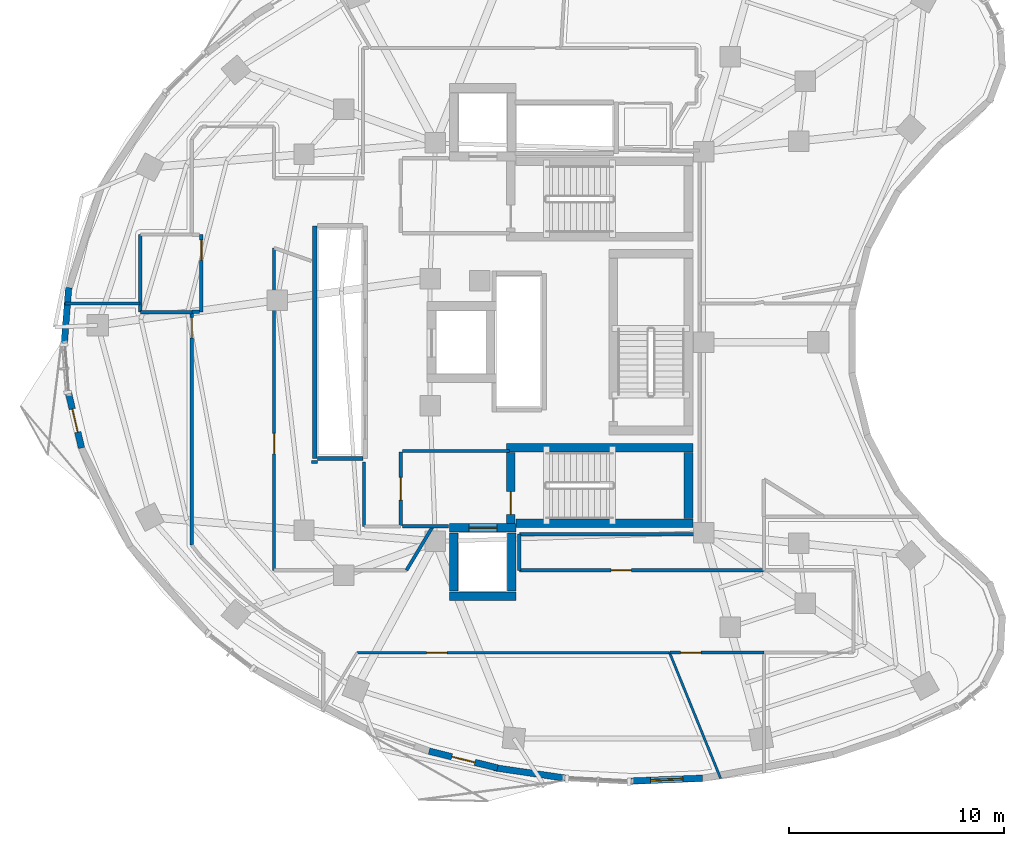
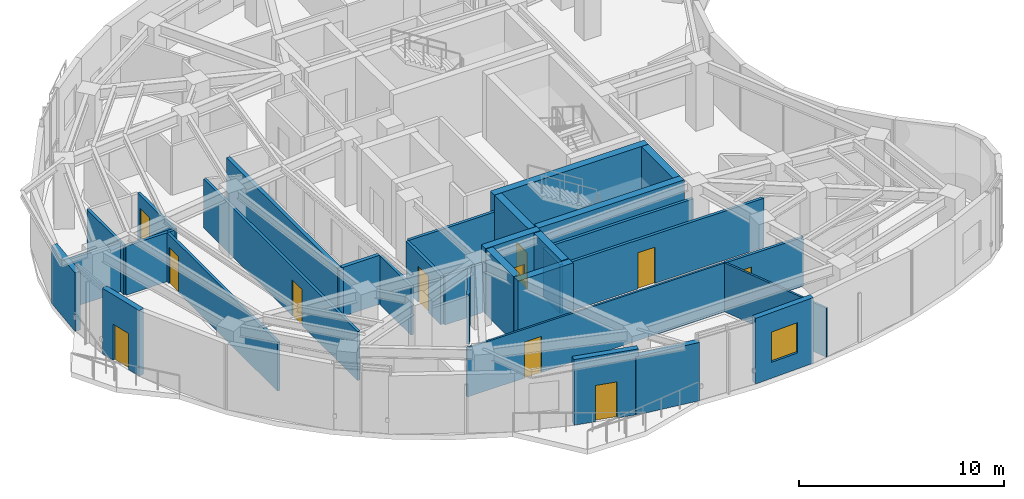
# One storey, part 7 of 13: 34 walls, 11 doors, 1 window, 12 openings.
"""IFC4 building model written with IfcOpenShell, lengths in metres."""

from ifc_helpers import new_model, si_unit, direction, frame, frame_2d, origin, place, context, subcontext, project, spatial, rectangle, extrude, material, layer, layer_set, type_object, element, fill, save


model = new_model("IFC4")

# Units and contexts
model_context = context("Model", 3, precision=1e-05, world=origin(), true_north=direction((0.0, 1.0)))
body_context = subcontext(model_context, "Body", "Model", "MODEL_VIEW")
ifc_project = project(units=[si_unit("LENGTHUNIT", "METRE"), si_unit("AREAUNIT", "SQUARE_METRE"), si_unit("VOLUMEUNIT", "CUBIC_METRE"), si_unit("PLANEANGLEUNIT", "RADIAN"), si_unit("MASSUNIT", "GRAM", prefix="KILO")], contexts=[model_context])

# Site, building, storey
site_placement = place(None, origin())
site = spatial("IfcSite", under=ifc_project, at=site_placement, CompositionType="ELEMENT")
building_placement = place(site_placement, origin())
building = spatial("IfcBuilding", under=site, at=building_placement, Name="Korentha Bioscience Tower", CompositionType="ELEMENT")
storey_placement = place(building_placement, frame((0.0, 0.0, 192.0)))
storey = spatial("IfcBuildingStorey", under=building, at=storey_placement, Name="L44", CompositionType="ELEMENT", Elevation=192.0)

# Wall, opening, door
ifc_material_1 = material(Name="Double-Stud Acoustic Gypsum", Category="gypsum")
ifc_layer_1 = layer(ifc_material_1, 0.14990234375, Name="Double-Stud Acoustic Gypsum")
ifc_layer_set_1 = layer_set([ifc_layer_1], Name="Double-Stud Acoustic Gypsum (IW-L150)")
wall_type_1 = type_object("IfcWallType", Name="Acoustic Laboratory Partition Wall 150", PredefinedType="PARTITIONING", material=ifc_layer_set_1)
wall_1_placement = place(storey_placement, frame((13.7900390625, 28.389892578125, 0.0), z_axis=(0.0, 0.0, 1.0), x_axis=(0.0, -1.0, 0.0)))
wall_1 = element("IfcWall", 1, at=wall_1_placement, inside=storey, type_object=wall_type_1, Name="L44 Biomechanical Motion Analysis Lab 01 Entrance Wall", PredefinedType="PARTITIONING", context=body_context, shape_type="SweptSolid", body=[
    extrude(rectangle(XDim=10.807373046875, YDim=0.14990234375, at=frame_2d((5.40380859375, 0.0))), origin(), (0.0, 0.0, 1.0), 2.909912109375),
])
opening_1_placement = place(wall_1_placement, frame((0.239990234375, 0.0, 0.0)))
opening_1 = element("IfcOpeningElement", 2, at=opening_1_placement, cuts=wall_1, Name="Opening ID-10L", PredefinedType="OPENING", context=body_context, shape_type="SweptSolid", body=[
    extrude(rectangle(XDim=0.949951171875, YDim=2.14990234375, at=frame_2d((0.47509765625, 1.074951171875))), frame((0.0, 0.08984375, 0.0), z_axis=(0.0, -1.0, 0.0), x_axis=(1.0, 0.0, 0.0)), (0.0, 0.0, 1.0), 0.1796875),
])
ifc_material_2 = material(Name="Phenolic Laminate Timber Core", Category="wood")
door_type_1 = type_object("IfcDoorType", Name="Laboratory Single Leaf Door 950x2150 Left", OperationType="SINGLE_SWING_LEFT", PredefinedType="DOOR", material=ifc_material_2)
door_1_placement = place(opening_1_placement, origin())
door_1 = element("IfcDoor", 3, at=door_1_placement, inside=storey, type_object=door_type_1, Name="L44 Biomechanical Motion Analysis Lab 01 Door", OperationType="SINGLE_SWING_LEFT", OverallHeight=2.14990234375, OverallWidth=0.949951171875, PredefinedType="DOOR", context=body_context, shape_type="SweptSolid", body=[
    extrude(rectangle(XDim=0.949951171875, YDim=2.14990234375, at=frame_2d((0.47509765625, 1.074951171875))), frame((0.0, 0.02490234375, 0.0), z_axis=(0.0, -1.0, 0.0), x_axis=(1.0, 0.0, 0.0)), (0.0, 0.0, 1.0), 0.050048828125),
])
fill(opening_1, door_1)

wall_2_placement = place(storey_placement, frame((17.610107421875, 16.409912109375, 0.0), z_axis=(0.0, 0.0, 1.0), x_axis=(0.0, 1.0, 0.0)))
wall_2 = element("IfcWall", 4, at=wall_2_placement, inside=storey, type_object=wall_type_1, Name="L44 Principal Investigator Office 02 Entrance Wall", PredefinedType="PARTITIONING", context=body_context, shape_type="SweptSolid", body=[
    extrude(rectangle(XDim=14.968994140625, YDim=0.14990234375, at=frame_2d((7.484375, 0.0))), origin(), (0.0, 0.0, 1.0), 2.909912109375),
])
opening_2_placement = place(wall_2_placement, frame((5.40380859375, 0.0, 0.0)))
opening_2 = element("IfcOpeningElement", 5, at=opening_2_placement, cuts=wall_2, Name="Opening ID-10R", PredefinedType="OPENING", context=body_context, shape_type="SweptSolid", body=[
    extrude(rectangle(XDim=0.949951171875, YDim=2.14990234375, at=frame_2d((0.47509765625, 1.074951171875))), frame((0.0, 0.08984375, 0.0), z_axis=(0.0, -1.0, 0.0), x_axis=(1.0, 0.0, 0.0)), (0.0, 0.0, 1.0), 0.1796875),
])
door_type_2 = type_object("IfcDoorType", Name="Laboratory Single Leaf Door 950x2150 Right", OperationType="SINGLE_SWING_RIGHT", PredefinedType="DOOR", material=ifc_material_2)
door_2_placement = place(opening_2_placement, origin())
door_2 = element("IfcDoor", 6, at=door_2_placement, inside=storey, type_object=door_type_2, Name="L44 Principal Investigator Office 02 Door", OperationType="SINGLE_SWING_RIGHT", OverallHeight=2.14990234375, OverallWidth=0.949951171875, PredefinedType="DOOR", context=body_context, shape_type="SweptSolid", body=[
    extrude(rectangle(XDim=0.949951171875, YDim=2.14990234375, at=frame_2d((0.47509765625, 1.074951171875))), frame((0.0, 0.02490234375, 0.0), z_axis=(0.0, -1.0, 0.0), x_axis=(1.0, 0.0, 0.0)), (0.0, 0.0, 1.0), 0.050048828125),
])
fill(opening_2, door_2)

wall_3_placement = place(storey_placement, frame((35.980224609375, 12.590087890625, 0.0), z_axis=(0.0, 0.0, 1.0), x_axis=(1.0, 0.0, 0.0)))
wall_3 = element("IfcWall", 7, at=wall_3_placement, inside=storey, type_object=wall_type_1, Name="L44 Staff Pantry Kitchenette 04 Entrance Wall", PredefinedType="PARTITIONING", context=body_context, shape_type="SweptSolid", body=[
    extrude(rectangle(XDim=4.36767578125, YDim=0.14990234375, at=frame_2d((2.183837890625, 0.0))), origin(), (0.0, 0.0, 1.0), 2.909912109375),
])
opening_3_placement = place(wall_3_placement, frame((0.50830078125, 0.0, 0.0)))
opening_3 = element("IfcOpeningElement", 8, at=opening_3_placement, cuts=wall_3, Name="Opening ID-10R", PredefinedType="OPENING", context=body_context, shape_type="SweptSolid", body=[
    extrude(rectangle(XDim=0.949951171875, YDim=2.14990234375, at=frame_2d((0.47509765625, 1.074951171875))), frame((0.0, 0.08984375, 0.0), z_axis=(0.0, -1.0, 0.0), x_axis=(1.0, 0.0, 0.0)), (0.0, 0.0, 1.0), 0.1796875),
])
door_3_placement = place(opening_3_placement, origin())
door_3 = element("IfcDoor", 9, at=door_3_placement, inside=storey, type_object=door_type_2, Name="L44 Staff Pantry Kitchenette 04 Door", OperationType="SINGLE_SWING_RIGHT", OverallHeight=2.14990234375, OverallWidth=0.949951171875, PredefinedType="DOOR", context=body_context, shape_type="SweptSolid", body=[
    extrude(rectangle(XDim=0.949951171875, YDim=2.14990234375, at=frame_2d((0.47509765625, 1.074951171875))), frame((0.0, 0.02490234375, 0.0), z_axis=(0.0, -1.0, 0.0), x_axis=(1.0, 0.0, 0.0)), (0.0, 0.0, 1.0), 0.050048828125),
])
fill(opening_3, door_3)

# Walls
wall_4_placement = place(storey_placement, frame((7.897705078125, 28.798095703125, 0.0), z_axis=(0.0, 0.0, 1.0), x_axis=(1.0, 0.0, 0.0)))
element("IfcWall", 10, at=wall_4_placement, inside=storey, type_object=wall_type_1, Name="L44 Interior Partition 019", PredefinedType="PARTITIONING", context=body_context, shape_type="SweptSolid", body=[
    extrude(rectangle(XDim=3.4921875, YDim=0.14990234375, at=frame_2d((1.74609375, 0.0))), origin(), (0.0, 0.0, 1.0), 2.909912109375),
])
wall_5_placement = place(storey_placement, frame((19.35009765625, 21.43994140625, 0.0), z_axis=(0.0, 0.0, 1.0), x_axis=(1.0, 0.0, 0.0)))
element("IfcWall", 11, at=wall_5_placement, inside=storey, type_object=wall_type_1, Name="L44 Interior Partition 025", PredefinedType="PARTITIONING", context=body_context, shape_type="SweptSolid", body=[
    extrude(rectangle(XDim=0.27001953125, YDim=0.14990234375, at=frame_2d((0.135009765625, 0.0))), origin(), (0.0, 0.0, 1.0), 2.909912109375),
])
wall_6_placement = place(storey_placement, frame((21.7900390625, 21.43994140625, 0.0), z_axis=(0.0, 0.0, 1.0), x_axis=(0.0, -1.0, 0.0)))
element("IfcWall", 12, at=wall_6_placement, inside=storey, type_object=wall_type_1, Name="L44 Interior Partition 026", PredefinedType="PARTITIONING", context=body_context, shape_type="SweptSolid", body=[
    extrude(rectangle(XDim=2.989990234375, YDim=0.14990234375, at=frame_2d((1.4951171875, 0.0))), origin(), (0.0, 0.0, 1.0), 2.909912109375),
])
wall_7_placement = place(storey_placement, frame((24.974609375, 18.43994140625, 0.0), z_axis=(0.0, 0.0, 1.0), x_axis=(-0.515026255496, -0.857174402412, 0.0)))
element("IfcWall", 13, at=wall_7_placement, inside=storey, type_object=wall_type_1, Name="L44 Interior Partition 028", PredefinedType="PARTITIONING", context=body_context, shape_type="SweptSolid", body=[
    extrude(rectangle(XDim=2.3681640625, YDim=0.14990234375, at=frame_2d((1.18408203125, 0.0))), origin(), (0.0, 0.0, 1.0), 2.909912109375),
])

# Wall, opening, door
ifc_material_3 = material(Name="Fire-Rated Framed Glass", Category="glass")
ifc_layer_2 = layer(ifc_material_3, 0.110107421875, Name="Fire-Rated Framed Glass")
ifc_layer_set_2 = layer_set([ifc_layer_2], Name="Fire-Rated Framed Glass (IW-G110)")
wall_type_2 = type_object("IfcWallType", Name="Demountable Glazed Office Partition 110", PredefinedType="MOVABLE", material=ifc_layer_set_2)
wall_8_placement = place(storey_placement, frame((21.46435546875, 12.590087890625, 0.0), z_axis=(0.0, 0.0, 1.0), x_axis=(1.0, 0.0, 0.0)))
wall_8 = element("IfcWall", 14, at=wall_8_placement, inside=storey, type_object=wall_type_2, Name="L44 Research Colloquium Seminar Room 03 Entrance Wall", PredefinedType="MOVABLE", context=body_context, shape_type="SweptSolid", body=[
    extrude(rectangle(XDim=14.505126953125, YDim=0.110107421875, at=frame_2d((7.25244140625, 0.0))), origin(), (0.0, 0.0, 1.0), 2.909912109375),
])
opening_4_placement = place(wall_8_placement, frame((3.227783203125, 0.0, 0.0)))
opening_4 = element("IfcOpeningElement", 15, at=opening_4_placement, cuts=wall_8, Name="Opening ID-10L", PredefinedType="OPENING", context=body_context, shape_type="SweptSolid", body=[
    extrude(rectangle(XDim=0.949951171875, YDim=2.14990234375, at=frame_2d((0.47509765625, 1.074951171875))), frame((0.0, 0.06982421875, 0.0), z_axis=(0.0, -1.0, 0.0), x_axis=(1.0, 0.0, 0.0)), (0.0, 0.0, 1.0), 0.139892578125),
])
door_4_placement = place(opening_4_placement, origin())
door_4 = element("IfcDoor", 16, at=door_4_placement, inside=storey, type_object=door_type_1, Name="L44 Research Colloquium Seminar Room 03 Door", OperationType="SINGLE_SWING_LEFT", OverallHeight=2.14990234375, OverallWidth=0.949951171875, PredefinedType="DOOR", context=body_context, shape_type="SweptSolid", body=[
    extrude(rectangle(XDim=0.949951171875, YDim=2.14990234375, at=frame_2d((0.47509765625, 1.074951171875))), frame((0.0, 0.02490234375, 0.0), z_axis=(0.0, -1.0, 0.0), x_axis=(1.0, 0.0, 0.0)), (0.0, 0.0, 1.0), 0.050048828125),
])
fill(opening_4, door_4)

# Wall
wall_9_placement = place(storey_placement, frame((35.969482421875, 12.590087890625, 0.0), z_axis=(0.0, 0.0, 1.0), x_axis=(0.376224407508, -0.92652857225, 0.0)))
element("IfcWall", 17, at=wall_9_placement, inside=storey, type_object=wall_type_2, Name="L44 Interior Partition 032", PredefinedType="MOVABLE", context=body_context, shape_type="SweptSolid", body=[
    extrude(rectangle(XDim=6.306884765625, YDim=0.110107421875, at=frame_2d((3.1533203125, 0.0))), origin(), (0.0, 0.0, 1.0), 2.909912109375),
])

# Wall, opening, door
ifc_material_4 = material(Name="Gypsum-Clad Steel Stud", Category="steel")
ifc_layer_3 = layer(ifc_material_4, 0.159912109375, Name="Gypsum-Clad Steel Stud")
ifc_layer_set_3 = layer_set([ifc_layer_3], Name="Gypsum-Clad Steel Stud (IW-C160)")
wall_type_3 = type_object("IfcWallType", Name="Fire-Rated Corridor Partition Wall 160", PredefinedType="PARTITIONING", material=ifc_layer_set_3)
wall_10_placement = place(storey_placement, frame((23.5, 18.5, 0.0), z_axis=(0.0, 0.0, 1.0), x_axis=(0.0, 1.0, 0.0)))
wall_10 = element("IfcWall", 18, at=wall_10_placement, inside=storey, type_object=wall_type_3, Name="L44 FFLS-CW Rated Enclosure Wall", PredefinedType="PARTITIONING", context=body_context, shape_type="SweptSolid", body=[
    extrude(rectangle(XDim=3.39990234375, YDim=0.159912109375, at=frame_2d((1.699951171875, 0.0))), origin(), (0.0, 0.0, 1.0), 2.909912109375),
])
opening_5_placement = place(wall_10_placement, frame((1.175048828125, 0.0, 0.0)))
opening_5 = element("IfcOpeningElement", 19, at=opening_5_placement, cuts=wall_10, Name="Opening FD-90L", PredefinedType="OPENING", context=body_context, shape_type="SweptSolid", body=[
    extrude(rectangle(XDim=1.050048828125, YDim=2.14990234375, at=frame_2d((0.52490234375, 1.074951171875))), frame((0.0, 0.0947265625, 0.0), z_axis=(0.0, -1.0, 0.0), x_axis=(1.0, 0.0, 0.0)), (0.0, 0.0, 1.0), 0.189697265625),
])
ifc_material_5 = material(Name="Powder-Coated Fire-Rated Steel", Category="steel")
door_type_3 = type_object("IfcDoorType", Name="Stairwell Fire Exit Door 1050x2150 Left", OperationType="SINGLE_SWING_LEFT", PredefinedType="DOOR", material=ifc_material_5)
door_5_placement = place(opening_5_placement, origin())
door_5 = element("IfcDoor", 20, at=door_5_placement, inside=storey, type_object=door_type_3, Name="L44 South Firefighting Lobby Door", OperationType="SINGLE_SWING_LEFT", OverallHeight=2.14990234375, OverallWidth=1.050048828125, PredefinedType="DOOR", context=body_context, shape_type="SweptSolid", body=[
    extrude(rectangle(XDim=1.050048828125, YDim=2.14990234375, at=frame_2d((0.52490234375, 1.074951171875))), frame((0.0, 0.02490234375, 0.0), z_axis=(0.0, -1.0, 0.0), x_axis=(1.0, 0.0, 0.0)), (0.0, 0.0, 1.0), 0.050048828125),
])
fill(opening_5, door_5)

# Walls
wall_11_placement = place(storey_placement, frame((23.580078125, 21.949951171875, 0.0), z_axis=(0.0, 0.0, 1.0), x_axis=(1.0, 0.0, 0.0)))
element("IfcWall", 21, at=wall_11_placement, inside=storey, type_object=wall_type_3, Name="L44 Firefighting Lobby Return Wall FFLS-N", PredefinedType="PARTITIONING", context=body_context, shape_type="SweptSolid", body=[
    extrude(rectangle(XDim=4.969970703125, YDim=0.159912109375, at=frame_2d((2.48486328125, 0.0))), origin(), (0.0, 0.0, 1.0), 2.909912109375),
])
wall_12_placement = place(storey_placement, frame((23.580078125, 18.449951171875, 0.0), z_axis=(0.0, 0.0, 1.0), x_axis=(1.0, 0.0, 0.0)))
element("IfcWall", 22, at=wall_12_placement, inside=storey, type_object=wall_type_3, Name="L44 Firefighting Lobby Return Wall FFLS-S", PredefinedType="PARTITIONING", context=body_context, shape_type="SweptSolid", body=[
    extrude(rectangle(XDim=2.119873046875, YDim=0.159912109375, at=frame_2d((1.06005859375, 0.0))), origin(), (0.0, 0.0, 1.0), 2.909912109375),
])

# Wall, opening, door
wall_13_placement = place(storey_placement, frame((14.239990234375, 31.989990234375, 0.0), z_axis=(0.0, 0.0, 1.0), x_axis=(0.0, -1.0, 0.0)))
wall_13 = element("IfcWall", 23, at=wall_13_placement, inside=storey, type_object=wall_type_3, Name="L44 Reclaimed Bank-1 North Data Closet Entrance Wall", PredefinedType="PARTITIONING", context=body_context, shape_type="SweptSolid", body=[
    extrude(rectangle(XDim=3.580078125, YDim=0.159912109375, at=frame_2d((1.7900390625, 0.0))), origin(), (0.0, 0.0, 1.0), 2.909912109375),
])
opening_6_placement = place(wall_13_placement, frame((0.239990234375, 0.0, 0.0)))
opening_6 = element("IfcOpeningElement", 24, at=opening_6_placement, cuts=wall_13, Name="Opening ID-10R", PredefinedType="OPENING", context=body_context, shape_type="SweptSolid", body=[
    extrude(rectangle(XDim=0.949951171875, YDim=2.14990234375, at=frame_2d((0.47509765625, 1.074951171875))), frame((0.0, 0.0947265625, 0.0), z_axis=(0.0, -1.0, 0.0), x_axis=(1.0, 0.0, 0.0)), (0.0, 0.0, 1.0), 0.189697265625),
])
door_6_placement = place(opening_6_placement, origin())
door_6 = element("IfcDoor", 25, at=door_6_placement, inside=storey, type_object=door_type_2, Name="L44 Reclaimed Bank-1 North Data Closet Door", OperationType="SINGLE_SWING_RIGHT", OverallHeight=2.14990234375, OverallWidth=0.949951171875, PredefinedType="DOOR", context=body_context, shape_type="SweptSolid", body=[
    extrude(rectangle(XDim=0.949951171875, YDim=2.14990234375, at=frame_2d((0.47509765625, 1.074951171875))), frame((0.0, 0.02490234375, 0.0), z_axis=(0.0, -1.0, 0.0), x_axis=(1.0, 0.0, 0.0)), (0.0, 0.0, 1.0), 0.050048828125),
])
fill(opening_6, door_6)

wall_14_placement = place(storey_placement, frame((40.342041015625, 16.409912109375, 0.0), z_axis=(0.0, 0.0, 1.0), x_axis=(-1.0, 0.0, 0.0)))
wall_14 = element("IfcWall", 26, at=wall_14_placement, inside=storey, type_object=wall_type_3, Name="L44 Cryogenic Dewar Supply Store 06 Entrance Wall", PredefinedType="PARTITIONING", context=body_context, shape_type="SweptSolid", body=[
    extrude(rectangle(XDim=11.342041015625, YDim=0.159912109375, at=frame_2d((5.6708984375, 0.0))), origin(), (0.0, 0.0, 1.0), 2.909912109375),
])
opening_7_placement = place(wall_14_placement, frame((6.1396484375, 0.0, 0.0)))
opening_7 = element("IfcOpeningElement", 27, at=opening_7_placement, cuts=wall_14, Name="Opening ID-10R", PredefinedType="OPENING", context=body_context, shape_type="SweptSolid", body=[
    extrude(rectangle(XDim=0.949951171875, YDim=2.14990234375, at=frame_2d((0.47509765625, 1.074951171875))), frame((0.0, 0.0947265625, 0.0), z_axis=(0.0, -1.0, 0.0), x_axis=(1.0, 0.0, 0.0)), (0.0, 0.0, 1.0), 0.189697265625),
])
door_7_placement = place(opening_7_placement, origin())
door_7 = element("IfcDoor", 28, at=door_7_placement, inside=storey, type_object=door_type_2, Name="L44 Cryogenic Dewar Supply Store 06 Door", OperationType="SINGLE_SWING_RIGHT", OverallHeight=2.14990234375, OverallWidth=0.949951171875, PredefinedType="DOOR", context=body_context, shape_type="SweptSolid", body=[
    extrude(rectangle(XDim=0.949951171875, YDim=2.14990234375, at=frame_2d((0.47509765625, 1.074951171875))), frame((0.0, 0.02490234375, 0.0), z_axis=(0.0, -1.0, 0.0), x_axis=(1.0, 0.0, 0.0)), (0.0, 0.0, 1.0), 0.050048828125),
])
fill(opening_7, door_7)

# Walls
wall_15_placement = place(storey_placement, frame((14.156982421875, 28.409912109375, 0.0), z_axis=(0.0, 0.0, 1.0), x_axis=(-1.0, 0.0, 0.0)))
element("IfcWall", 29, at=wall_15_placement, inside=storey, type_object=wall_type_3, Name="L44 Interior Partition 015", PredefinedType="PARTITIONING", context=body_context, shape_type="SweptSolid", body=[
    extrude(rectangle(XDim=0.35693359375, YDim=0.159912109375, at=frame_2d((0.178466796875, 0.0))), origin(), (0.0, 0.0, 1.0), 2.909912109375),
])
wall_16_placement = place(storey_placement, frame((13.7900390625, 28.39990234375, 0.0), z_axis=(0.0, 0.0, 1.0), x_axis=(-1.0, 0.0, 0.0)))
element("IfcWall", 30, at=wall_16_placement, inside=storey, type_object=wall_type_3, Name="L44 Interior Partition 016", PredefinedType="PARTITIONING", context=body_context, shape_type="SweptSolid", body=[
    extrude(rectangle(XDim=2.39013671875, YDim=0.159912109375, at=frame_2d((1.195068359375, 0.0))), origin(), (0.0, 0.0, 1.0), 2.909912109375),
])
wall_17_placement = place(storey_placement, frame((11.39990234375, 28.39990234375, 0.0), z_axis=(0.0, 0.0, 1.0), x_axis=(0.0, 1.0, 0.0)))
element("IfcWall", 31, at=wall_17_placement, inside=storey, type_object=wall_type_3, Name="L44 Interior Partition 017", PredefinedType="PARTITIONING", context=body_context, shape_type="SweptSolid", body=[
    extrude(rectangle(XDim=3.60009765625, YDim=0.159912109375, at=frame_2d((1.800048828125, 0.0))), origin(), (0.0, 0.0, 1.0), 2.909912109375),
])
wall_18_placement = place(storey_placement, frame((29.0, 18.090087890625, 0.0), z_axis=(0.0, 0.0, 1.0), x_axis=(1.0, 0.0, 0.0)))
element("IfcWall", 32, at=wall_18_placement, inside=storey, type_object=wall_type_3, Name="L44 Interior Partition 039", PredefinedType="PARTITIONING", context=body_context, shape_type="SweptSolid", body=[
    extrude(rectangle(XDim=8.35009765625, YDim=0.159912109375, at=frame_2d((4.175048828125, 0.0))), origin(), (0.0, 0.0, 1.0), 2.909912109375),
])
wall_19_placement = place(storey_placement, frame((29.0, 16.409912109375, 0.0), z_axis=(0.0, 0.0, 1.0), x_axis=(0.0, 1.0, 0.0)))
element("IfcWall", 33, at=wall_19_placement, inside=storey, type_object=wall_type_3, Name="L44 Interior Partition 046", PredefinedType="PARTITIONING", context=body_context, shape_type="SweptSolid", body=[
    extrude(rectangle(XDim=1.68017578125, YDim=0.159912109375, at=frame_2d((0.840087890625, 0.0))), origin(), (0.0, 0.0, 1.0), 2.909912109375),
])

# Wall, opening, door
ifc_material_6 = material(Name="Honed Limestone Precast Concrete C40", Category="masonry")
ifc_layer_4 = layer(ifc_material_6, 0.300048828125, Name="Honed Limestone Precast Concrete C40")
ifc_layer_set_4 = layer_set([ifc_layer_4], Name="Honed Limestone Precast Concrete C40 (EW-ST300)")
wall_type_4 = type_object("IfcWallType", Name="Honed Limestone Cavity Spandrel Wall 300", PredefinedType="STANDARD", material=ifc_layer_set_4)
wall_20_placement = place(storey_placement, frame((8.07080078125, 24.632568359375, 0.0), z_axis=(0.0, 0.0, 1.0), x_axis=(0.230740941285, -0.973015219827, 0.0)))
wall_20 = element("IfcWall", 34, at=wall_20_placement, inside=storey, type_object=wall_type_4, Name="L44 Balcony Threshold Wall 02", PredefinedType="STANDARD", context=body_context, shape_type="SweptSolid", body=[
    extrude(rectangle(XDim=2.614501953125, YDim=0.300048828125, at=frame_2d((1.30712890625, 0.0))), origin(), (0.0, 0.0, 1.0), 3.89990234375),
])
opening_8_placement = place(wall_20_placement, frame((0.757080078125, 0.0, 0.0)))
opening_8 = element("IfcOpeningElement", 35, at=opening_8_placement, cuts=wall_20, Name="Opening BD-11R", PredefinedType="OPENING", context=body_context, shape_type="SweptSolid", body=[
    extrude(rectangle(XDim=1.10009765625, YDim=2.14990234375, at=frame_2d((0.550048828125, 1.074951171875))), frame((0.0, 0.1650390625, 0.0), z_axis=(0.0, -1.0, 0.0), x_axis=(1.0, 0.0, 0.0)), (0.0, 0.0, 1.0), 0.329833984375),
])
ifc_material_7 = material(Name="Thermally Broken Glazed Aluminium", Category="aluminium")
door_type_4 = type_object("IfcDoorType", Name="Balcony Terrace Glazed Door 1100x2150 Right", OperationType="SINGLE_SWING_RIGHT", PredefinedType="DOOR", material=ifc_material_7)
door_8_placement = place(opening_8_placement, origin())
door_8 = element("IfcDoor", 36, at=door_8_placement, inside=storey, type_object=door_type_4, Name="L44 Balcony Access Door 02", OperationType="SINGLE_SWING_RIGHT", OverallHeight=2.14990234375, OverallWidth=1.10009765625, PredefinedType="DOOR", context=body_context, shape_type="SweptSolid", body=[
    extrude(rectangle(XDim=1.10009765625, YDim=2.14990234375, at=frame_2d((0.550048828125, 1.074951171875))), frame((0.0, 0.02490234375, 0.0), z_axis=(0.0, -1.0, 0.0), x_axis=(1.0, 0.0, 0.0)), (0.0, 0.0, 1.0), 0.050048828125),
])
fill(opening_8, door_8)

wall_21_placement = place(storey_placement, frame((24.806640625, 8.015625, 0.0), z_axis=(0.0, 0.0, 1.0), x_axis=(0.971312804689, -0.237805457142, 0.0)))
wall_21 = element("IfcWall", 37, at=wall_21_placement, inside=storey, type_object=wall_type_4, Name="L44 Balcony Threshold Wall 03", PredefinedType="STANDARD", context=body_context, shape_type="SweptSolid", body=[
    extrude(rectangle(XDim=3.268798828125, YDim=0.300048828125, at=frame_2d((1.63427734375, 0.0))), origin(), (0.0, 0.0, 1.0), 3.89990234375),
])
opening_9_placement = place(wall_21_placement, frame((1.08447265625, 0.0, 0.0)))
opening_9 = element("IfcOpeningElement", 38, at=opening_9_placement, cuts=wall_21, Name="Opening BD-11L", PredefinedType="OPENING", context=body_context, shape_type="SweptSolid", body=[
    extrude(rectangle(XDim=1.10009765625, YDim=2.14990234375, at=frame_2d((0.550048828125, 1.074951171875))), frame((0.0, 0.1650390625, 0.0), z_axis=(0.0, -1.0, 0.0), x_axis=(1.0, 0.0, 0.0)), (0.0, 0.0, 1.0), 0.329833984375),
])
door_type_5 = type_object("IfcDoorType", Name="Balcony Terrace Glazed Door 1100x2150 Left", OperationType="SINGLE_SWING_LEFT", PredefinedType="DOOR", material=ifc_material_7)
door_9_placement = place(opening_9_placement, origin())
door_9 = element("IfcDoor", 39, at=door_9_placement, inside=storey, type_object=door_type_5, Name="L44 Balcony Access Door 03", OperationType="SINGLE_SWING_LEFT", OverallHeight=2.14990234375, OverallWidth=1.10009765625, PredefinedType="DOOR", context=body_context, shape_type="SweptSolid", body=[
    extrude(rectangle(XDim=1.10009765625, YDim=2.14990234375, at=frame_2d((0.550048828125, 1.074951171875))), frame((0.0, 0.02490234375, 0.0), z_axis=(0.0, -1.0, 0.0), x_axis=(1.0, 0.0, 0.0)), (0.0, 0.0, 1.0), 0.050048828125),
])
fill(opening_9, door_9)

# Wall, opening, window
wall_22_placement = place(storey_placement, frame((34.17431640625, 6.626220703125, 0.0), z_axis=(0.0, 0.0, 1.0), x_axis=(0.999191674443, 0.040199474165, 0.0)))
wall_22 = element("IfcWall", 40, at=wall_22_placement, inside=storey, type_object=wall_type_4, Name="L44 Honed Limestone Spandrel Wall 32", PredefinedType="STANDARD", context=body_context, shape_type="SweptSolid", body=[
    extrude(rectangle(XDim=3.328125, YDim=0.300048828125, at=frame_2d((1.6640625, 0.0))), origin(), (0.0, 0.0, 1.0), 3.89990234375),
])
opening_10_placement = place(wall_22_placement, frame((0.913818359375, 0.0, 0.949951171875)))
opening_10 = element("IfcOpeningElement", 41, at=opening_10_placement, cuts=wall_22, Name="Opening WN-02", PredefinedType="OPENING", context=body_context, shape_type="SweptSolid", body=[
    extrude(rectangle(XDim=1.5, YDim=1.800048828125, at=frame_2d((0.75, 0.89990234375))), frame((0.0, 0.1650390625, 0.0), z_axis=(0.0, -1.0, 0.0), x_axis=(1.0, 0.0, 0.0)), (0.0, 0.0, 1.0), 0.329833984375),
])
ifc_material_8 = material(Name="Thermally Broken Aluminium Triple Glazing", Category="aluminium")
window_type = type_object("IfcWindowType", Name="Acoustic Operable Office Window 1500x1800", PartitioningType="DOUBLE_PANEL_VERTICAL", PredefinedType="WINDOW", material=ifc_material_8)
window_placement = place(opening_10_placement, origin())
window = element("IfcWindow", 42, at=window_placement, inside=storey, type_object=window_type, Name="L44 Facade Window 32", OverallHeight=1.800048828125, OverallWidth=1.5, PartitioningType="DOUBLE_PANEL_VERTICAL", PredefinedType="WINDOW", context=body_context, shape_type="SweptSolid", body=[
    extrude(rectangle(XDim=1.5, YDim=1.800048828125, at=frame_2d((0.75, 0.89990234375))), frame((0.0, 0.030029296875, 0.0), z_axis=(0.0, -1.0, 0.0), x_axis=(1.0, 0.0, 0.0)), (0.0, 0.0, 1.0), 0.06005859375),
])
fill(opening_10, window)

# Walls
wall_23_placement = place(storey_placement, frame((8.07470703125, 29.531494140625, 0.0), z_axis=(0.0, 0.0, 1.0), x_axis=(-0.078059201014, -0.99694872543, 0.0)))
element("IfcWall", 43, at=wall_23_placement, inside=storey, type_object=wall_type_4, Name="L44 Limestone Perimeter Closure Wall 18", PredefinedType="STANDARD", context=body_context, shape_type="SweptSolid", body=[
    extrude(rectangle(XDim=2.63037109375, YDim=0.300048828125, at=frame_2d((1.315185546875, 0.0))), origin(), (0.0, 0.0, 1.0), 3.469970703125),
])
wall_24_placement = place(storey_placement, frame((27.826416015625, 7.247314453125, 0.0), z_axis=(0.0, 0.0, 1.0), x_axis=(0.98945927954, -0.144811374319, 0.0)))
element("IfcWall", 44, at=wall_24_placement, inside=storey, type_object=wall_type_4, Name="L44 Limestone Perimeter Closure Wall 30", PredefinedType="STANDARD", context=body_context, shape_type="SweptSolid", body=[
    extrude(rectangle(XDim=3.346435546875, YDim=0.300048828125, at=frame_2d((1.67333984375, 0.0))), origin(), (0.0, 0.0, 1.0), 3.469970703125),
])
ifc_material_9 = material(Name="Autoclaved Aerated Concrete Block C25", Category="concrete")
ifc_layer_5 = layer(ifc_material_9, 0.199951171875, Name="Autoclaved Aerated Concrete Block C25")
ifc_layer_set_5 = layer_set([ifc_layer_5], Name="Autoclaved Aerated Concrete Block C25 (IW-S200)")
wall_type_5 = type_object("IfcWallType", Name="Lift and Riser Shaft Enclosure Wall 200", PredefinedType="PARTITIONING", material=ifc_layer_set_5)
wall_25_placement = place(storey_placement, frame((19.5, 21.60009765625, 0.0), z_axis=(0.0, 0.0, 1.0), x_axis=(0.0, 1.0, 0.0)))
element("IfcWall", 45, at=wall_25_placement, inside=storey, type_object=wall_type_5, Name="L44 Lift Bank MID Shaft Wall -X", PredefinedType="PARTITIONING", context=body_context, shape_type="SweptSolid", body=[
    extrude(rectangle(XDim=10.7998046875, YDim=0.199951171875, at=frame_2d((5.39990234375, 0.0))), origin(), (0.0, 0.0, 1.0), 2.909912109375),
])
wall_26_placement = place(storey_placement, frame((19.6201171875, 21.60009765625, 0.0), z_axis=(0.0, 0.0, 1.0), x_axis=(1.0, 0.0, 0.0)))
element("IfcWall", 46, at=wall_26_placement, inside=storey, type_object=wall_type_5, Name="L44 Lift Bank MID Shaft Wall -Y", PredefinedType="PARTITIONING", context=body_context, shape_type="SweptSolid", body=[
    extrude(rectangle(XDim=2.10986328125, YDim=0.199951171875, at=frame_2d((1.054931640625, 0.0))), origin(), (0.0, 0.0, 1.0), 2.909912109375),
])
ifc_material_10 = material(Name="Concrete C65", Category="concrete")
ifc_layer_6 = layer(ifc_material_10, 0.39990234375, Name="Concrete C65")
ifc_layer_set_6 = layer_set([ifc_layer_6], Name="Concrete C65 (CW-C65)")
wall_type_6 = type_object("IfcWallType", Name="Mid-Rise Core Shear Wall 400", PredefinedType="SHEAR", material=ifc_layer_set_6)
wall_27_placement = place(storey_placement, frame((28.85205078125, 18.60009765625, 0.0), z_axis=(0.0, 0.0, 1.0), x_axis=(1.0, 0.0, 0.0)))
element("IfcWall", 47, at=wall_27_placement, inside=storey, type_object=wall_type_6, Name="L44 Core Shear Wall ST2-S", PredefinedType="SHEAR", context=body_context, shape_type="SweptSolid", body=[
    extrude(rectangle(XDim=8.197998046875, YDim=0.39990234375, at=frame_2d((4.09912109375, 0.0))), origin(), (0.0, 0.0, 1.0), 3.89990234375),
])
wall_28_placement = place(storey_placement, frame((28.39990234375, 22.10009765625, 0.0), z_axis=(0.0, 0.0, 1.0), x_axis=(1.0, 0.0, 0.0)))
element("IfcWall", 48, at=wall_28_placement, inside=storey, type_object=wall_type_6, Name="L44 Core Shear Wall ST2-N", PredefinedType="SHEAR", context=body_context, shape_type="SweptSolid", body=[
    extrude(rectangle(XDim=8.650146484375, YDim=0.39990234375, at=frame_2d((4.3251953125, 0.0))), origin(), (0.0, 0.0, 1.0), 3.89990234375),
])
wall_29_placement = place(storey_placement, frame((36.85009765625, 18.81005859375, 0.0), z_axis=(0.0, 0.0, 1.0), x_axis=(0.0, 1.0, 0.0)))
element("IfcWall", 49, at=wall_29_placement, inside=storey, type_object=wall_type_6, Name="L44 Core Shear Wall ST2-E", PredefinedType="SHEAR", context=body_context, shape_type="SweptSolid", body=[
    extrude(rectangle(XDim=3.079833984375, YDim=0.39990234375, at=frame_2d((1.5400390625, 0.0))), origin(), (0.0, 0.0, 1.0), 3.89990234375),
])

# Wall, opening, door
wall_30_placement = place(storey_placement, frame((28.60009765625, 18.58203125, 0.0), z_axis=(0.0, 0.0, 1.0), x_axis=(0.0, 1.0, 0.0)))
wall_30 = element("IfcWall", 50, at=wall_30_placement, inside=storey, type_object=wall_type_6, Name="L44 Core Shear Wall ST2-W", PredefinedType="SHEAR", context=body_context, shape_type="SweptSolid", body=[
    extrude(rectangle(XDim=3.307861328125, YDim=0.39990234375, at=frame_2d((1.65380859375, 0.0))), origin(), (0.0, 0.0, 1.0), 3.89990234375),
])
opening_11_placement = place(wall_30_placement, frame((0.427978515625, 0.0, 0.0)))
opening_11 = element("IfcOpeningElement", 51, at=opening_11_placement, cuts=wall_30, Name="Opening FD-90L", PredefinedType="OPENING", context=body_context, shape_type="SweptSolid", body=[
    extrude(rectangle(XDim=1.050048828125, YDim=2.14990234375, at=frame_2d((0.52490234375, 1.074951171875))), frame((0.0, 0.21484375, 0.0), z_axis=(0.0, -1.0, 0.0), x_axis=(1.0, 0.0, 0.0)), (0.0, 0.0, 1.0), 0.4296875),
])
door_10_placement = place(opening_11_placement, origin())
door_10 = element("IfcDoor", 52, at=door_10_placement, inside=storey, type_object=door_type_3, Name="L44 ST-2 Fire Exit Stair Door", OperationType="SINGLE_SWING_LEFT", OverallHeight=2.14990234375, OverallWidth=1.050048828125, PredefinedType="DOOR", context=body_context, shape_type="SweptSolid", body=[
    extrude(rectangle(XDim=1.050048828125, YDim=2.14990234375, at=frame_2d((0.52490234375, 1.074951171875))), frame((0.0, 0.02490234375, 0.0), z_axis=(0.0, -1.0, 0.0), x_axis=(1.0, 0.0, 0.0)), (0.0, 0.0, 1.0), 0.050048828125),
])
fill(opening_11, door_10)

# Wall
wall_31_placement = place(storey_placement, frame((25.75, 15.199951171875, 0.0), z_axis=(0.0, 0.0, 1.0), x_axis=(1.0, 0.0, 0.0)))
element("IfcWall", 53, at=wall_31_placement, inside=storey, type_object=wall_type_6, Name="L44 Core Shear Wall FFL1-S", PredefinedType="SHEAR", context=body_context, shape_type="SweptSolid", body=[
    extrude(rectangle(XDim=3.10009765625, YDim=0.39990234375, at=frame_2d((1.550048828125, 0.0))), origin(), (0.0, 0.0, 1.0), 3.89990234375),
])

# Wall, opening, door
wall_32_placement = place(storey_placement, frame((25.75, 18.3798828125, 0.0), z_axis=(0.0, 0.0, 1.0), x_axis=(1.0, 0.0, 0.0)))
wall_32 = element("IfcWall", 54, at=wall_32_placement, inside=storey, type_object=wall_type_6, Name="L44 Core Shear Wall FFL1-N", PredefinedType="SHEAR", context=body_context, shape_type="SweptSolid", body=[
    extrude(rectangle(XDim=3.10009765625, YDim=0.39990234375, at=frame_2d((1.550048828125, 0.0))), origin(), (0.0, 0.0, 1.0), 3.89990234375),
])
opening_12_placement = place(wall_32_placement, frame((0.89990234375, 0.0, 0.0)))
opening_12 = element("IfcOpeningElement", 55, at=opening_12_placement, cuts=wall_32, Name="Opening LD-13", PredefinedType="OPENING", context=body_context, shape_type="SweptSolid", body=[
    extrude(rectangle(XDim=1.300048828125, YDim=2.199951171875, at=frame_2d((0.64990234375, 1.10009765625))), frame((0.0, 0.21484375, 0.0), z_axis=(0.0, -1.0, 0.0), x_axis=(1.0, 0.0, 0.0)), (0.0, 0.0, 1.0), 0.4296875),
])
ifc_material_11 = material(Name="Brushed Stainless Steel 316", Category="steel")
door_type_6 = type_object("IfcDoorType", Name="Service & Firefighting Lift Landing Door 1300x2300", OperationType="DOUBLE_DOOR_SLIDING", PredefinedType="DOOR", material=ifc_material_11)
door_11_placement = place(opening_12_placement, origin())
door_11 = element("IfcDoor", 56, at=door_11_placement, inside=storey, type_object=door_type_6, Name="L44 FFL-1 Sliding Lift Landing Door", OperationType="DOUBLE_DOOR_SLIDING", OverallHeight=2.199951171875, OverallWidth=1.300048828125, PredefinedType="DOOR", context=body_context, shape_type="SweptSolid", body=[
    extrude(rectangle(XDim=1.300048828125, YDim=2.199951171875, at=frame_2d((0.64990234375, 1.10009765625))), frame((0.0, 0.02490234375, 0.0), z_axis=(0.0, -1.0, 0.0), x_axis=(1.0, 0.0, 0.0)), (0.0, 0.0, 1.0), 0.050048828125),
])
fill(opening_12, door_11)

# Walls
for number, where, z_axis, x_axis, name in (
    (57, (25.949951171875, 15.43994140625, 0.0), (0.0, 0.0, 1.0), (0.0, 1.0, 0.0), "L44 Core Shear Wall FFL1-W"),
    (58, (28.64990234375, 15.43994140625, 0.0), (0.0, 0.0, 1.0), (0.0, 1.0, 0.0), "L44 Core Shear Wall FFL1-E"),
):
    element("IfcWall", number, at=place(storey_placement, frame(where, z_axis=z_axis, x_axis=x_axis)), inside=storey, type_object=wall_type_6, Name=name, PredefinedType="SHEAR", context=body_context, shape_type="SweptSolid", body=[
        extrude(rectangle(XDim=2.699951171875, YDim=0.39990234375, at=frame_2d((1.35009765625, 0.0))), origin(), (0.0, 0.0, 1.0), 3.89990234375),
    ])

save(model, "model.ifc")
